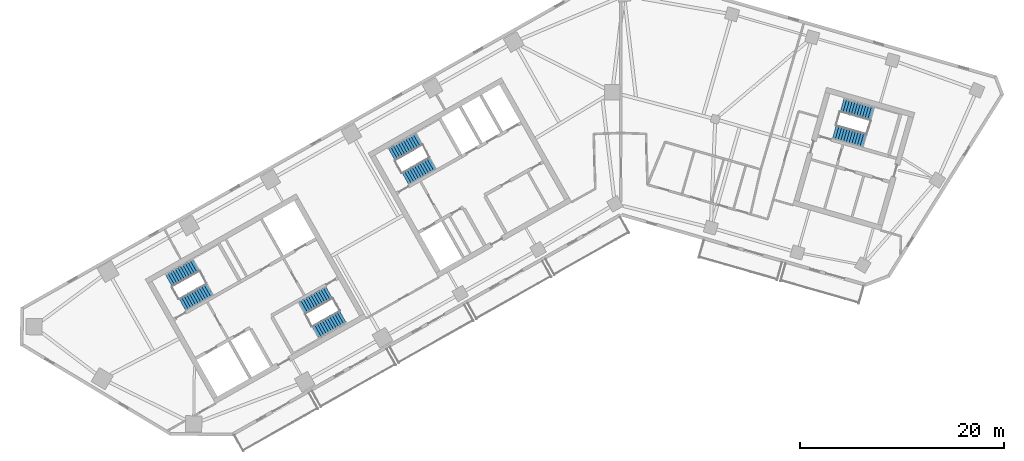
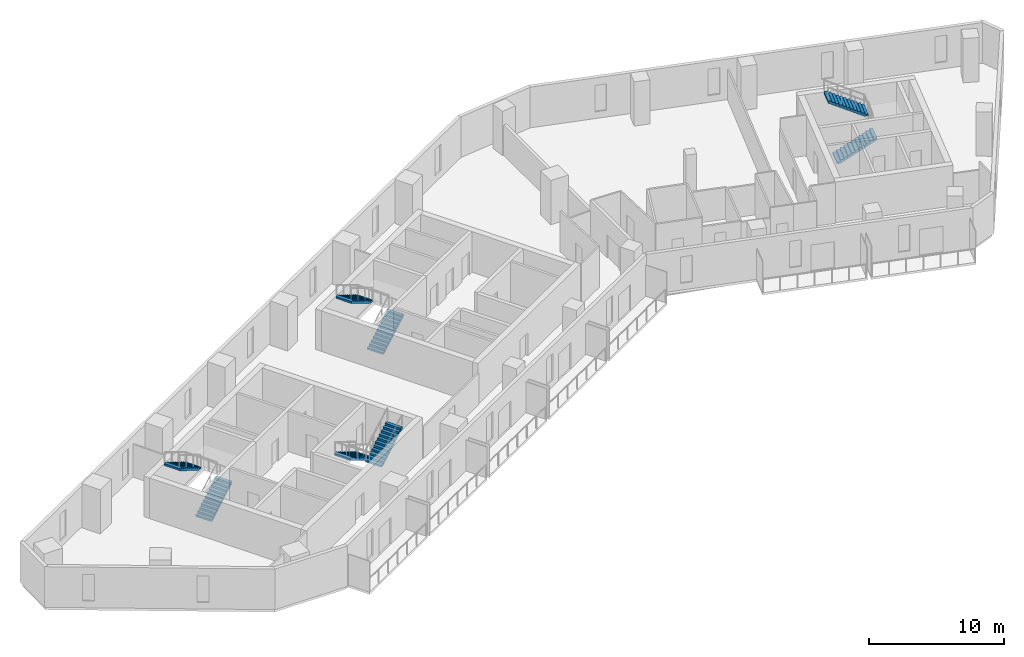
# One storey, part 7 of 9: 8 stair flights, 4 elements without a shape of their own.
"""IFC4 building model written with IfcOpenShell, lengths in metres."""

from ifc_helpers import new_model, si_unit, direction, frame, origin, place, context, subcontext, project, spatial, polyline, outline, extrude, material, type_object, element, aggregate, save


model = new_model("IFC4")

# Units and contexts
model_context = context("Model", 3, precision=1e-05, world=origin(), true_north=direction((0.0, 1.0)))
body_context = subcontext(model_context, "Body", "Model", "MODEL_VIEW")
ifc_project = project(units=[si_unit("LENGTHUNIT", "METRE"), si_unit("AREAUNIT", "SQUARE_METRE"), si_unit("VOLUMEUNIT", "CUBIC_METRE"), si_unit("PLANEANGLEUNIT", "RADIAN"), si_unit("MASSUNIT", "GRAM", prefix="KILO")], contexts=[model_context])

# Site, building, storey
site_placement = place(None, origin())
site = spatial("IfcSite", under=ifc_project, at=site_placement, CompositionType="ELEMENT")
building_placement = place(site_placement, origin())
building = spatial("IfcBuilding", under=site, at=building_placement, Name="Binnacle Exchange Tower", CompositionType="ELEMENT")
storey_placement = place(building_placement, frame((0.0, 0.0, 174.89990234375)))
storey = spatial("IfcBuildingStorey", under=building, at=storey_placement, Name="L37", CompositionType="ELEMENT", Elevation=174.89990234375)

# Stair, stair flights
ifc_material = material(Name="Concrete C35/45", Category="concrete")
stair_type = type_object("IfcStairType", Name="STAIR 24 RISERS 167", PredefinedType="HALF_TURN_STAIR", material=ifc_material)
stair_1_placement = place(storey_placement, origin())
stair_1 = element("IfcStair", 1, at=stair_1_placement, inside=storey, type_object=stair_type, Name="L37 Escape stair A1", PredefinedType="HALF_TURN_STAIR")
stair_flight_type = type_object("IfcStairFlightType", Name="STAIR FLIGHT 167X280", PredefinedType="STRAIGHT", material=ifc_material)
stair_flight_1_placement = place(storey_placement, frame((-42.9541015625, 39.17333984375, 0.0), z_axis=(0.0, 0.0, 1.0), x_axis=(0.870355584213, 0.492423757581, 0.0)))
stair_flight_1 = element("IfcStairFlight", 2, at=stair_flight_1_placement, type_object=stair_flight_type, Name="STA1 flight 1", NumberOfRisers=12, NumberOfTreads=11, PredefinedType="STRAIGHT", RiserHeight=0.166666667, TreadLength=0.28, context=body_context, shape_type="SweptSolid", body=[
    extrude(outline(polyline([(0.0, 0.0), (0.0, 0.166748046875), (0.280029296875, 0.166748046875), (0.280029296875, 0.333251953125), (0.56005859375, 0.333251953125), (0.56005859375, 0.5), (0.840087890625, 0.5), (0.840087890625, 0.666748046875), (1.1201171875, 0.666748046875), (1.1201171875, 0.833251953125), (1.39990234375, 0.833251953125), (1.39990234375, 1.0), (1.679931640625, 1.0), (1.679931640625, 1.166748046875), (1.9599609375, 1.166748046875), (1.9599609375, 1.333251953125), (2.239990234375, 1.333251953125), (2.239990234375, 1.5), (2.52001953125, 1.5), (2.52001953125, 1.666748046875), (2.800048828125, 1.666748046875), (2.800048828125, 1.833251953125), (3.080078125, 1.833251953125), (3.080078125, 2.0), (3.080078125, 1.658935546875), (0.29296875, 0.0), (0.0, 0.0)])), frame((0.0, 0.675048828125, 0.0), z_axis=(0.0, -1.0, 0.0), x_axis=(1.0, 0.0, 0.0)), (0.0, 0.0, 1.0), 1.35009765625),
])
stair_flight_2_placement = place(storey_placement, frame((-41.602783203125, 43.0400390625, 2.0), z_axis=(0.0, 0.0, 1.0), x_axis=(-0.870355584213, -0.492423757581, 0.0)))
stair_flight_2 = element("IfcStairFlight", 3, at=stair_flight_2_placement, type_object=stair_flight_type, Name="STA1 flight 2", NumberOfRisers=12, NumberOfTreads=11, PredefinedType="STRAIGHT", RiserHeight=0.166666667, TreadLength=0.28, context=body_context, shape_type="SweptSolid", body=[
    extrude(outline(polyline([(0.0, 0.0), (0.0, 0.166748046875), (0.280029296875, 0.166748046875), (0.280029296875, 0.333251953125), (0.56005859375, 0.333251953125), (0.56005859375, 0.5), (0.840087890625, 0.5), (0.840087890625, 0.666748046875), (1.1201171875, 0.666748046875), (1.1201171875, 0.833251953125), (1.39990234375, 0.833251953125), (1.39990234375, 1.0), (1.679931640625, 1.0), (1.679931640625, 1.166748046875), (1.9599609375, 1.166748046875), (1.9599609375, 1.333251953125), (2.239990234375, 1.333251953125), (2.239990234375, 1.5), (2.52001953125, 1.5), (2.52001953125, 1.666748046875), (2.800048828125, 1.666748046875), (2.800048828125, 1.833251953125), (3.080078125, 1.833251953125), (3.080078125, 2.0), (3.080078125, 1.658935546875), (0.29296875, 0.0), (0.0, 0.0)])), frame((0.0, 0.675048828125, 0.0), z_axis=(0.0, -1.0, 0.0), x_axis=(1.0, 0.0, 0.0)), (0.0, 0.0, 1.0), 1.35009765625),
])
aggregate(stair_1, [stair_flight_1, stair_flight_2])

stair_2_placement = place(storey_placement, origin())
stair_2 = element("IfcStair", 4, at=stair_2_placement, inside=storey, type_object=stair_type, Name="L37 Escape stair A2", PredefinedType="HALF_TURN_STAIR")
stair_flight_3_placement = place(storey_placement, frame((-28.5732421875, 40.3583984375, 0.0), z_axis=(0.0, 0.0, 1.0), x_axis=(-0.870355584213, -0.492423757581, 0.0)))
stair_flight_3 = element("IfcStairFlight", 5, at=stair_flight_3_placement, type_object=stair_flight_type, Name="STA2 flight 1", NumberOfRisers=12, NumberOfTreads=11, PredefinedType="STRAIGHT", RiserHeight=0.166666667, TreadLength=0.28, context=body_context, shape_type="SweptSolid", body=[
    extrude(outline(polyline([(0.0, 0.0), (0.0, 0.166748046875), (0.280029296875, 0.166748046875), (0.280029296875, 0.333251953125), (0.56005859375, 0.333251953125), (0.56005859375, 0.5), (0.840087890625, 0.5), (0.840087890625, 0.666748046875), (1.1201171875, 0.666748046875), (1.1201171875, 0.833251953125), (1.39990234375, 0.833251953125), (1.39990234375, 1.0), (1.679931640625, 1.0), (1.679931640625, 1.166748046875), (1.9599609375, 1.166748046875), (1.9599609375, 1.333251953125), (2.239990234375, 1.333251953125), (2.239990234375, 1.5), (2.52001953125, 1.5), (2.52001953125, 1.666748046875), (2.800048828125, 1.666748046875), (2.800048828125, 1.833251953125), (3.080078125, 1.833251953125), (3.080078125, 2.0), (3.080078125, 1.658935546875), (0.29296875, 0.0), (0.0, 0.0)])), frame((0.0, 0.675048828125, 0.0), z_axis=(0.0, -1.0, 0.0), x_axis=(1.0, 0.0, 0.0)), (0.0, 0.0, 1.0), 1.35009765625),
])
stair_flight_4_placement = place(storey_placement, frame((-29.92431640625, 36.49169921875, 2.0), z_axis=(0.0, 0.0, 1.0), x_axis=(0.870355584213, 0.492423757581, 0.0)))
stair_flight_4 = element("IfcStairFlight", 6, at=stair_flight_4_placement, type_object=stair_flight_type, Name="STA2 flight 2", NumberOfRisers=12, NumberOfTreads=11, PredefinedType="STRAIGHT", RiserHeight=0.166666667, TreadLength=0.28, context=body_context, shape_type="SweptSolid", body=[
    extrude(outline(polyline([(0.0, 0.0), (0.0, 0.166748046875), (0.280029296875, 0.166748046875), (0.280029296875, 0.333251953125), (0.56005859375, 0.333251953125), (0.56005859375, 0.5), (0.840087890625, 0.5), (0.840087890625, 0.666748046875), (1.1201171875, 0.666748046875), (1.1201171875, 0.833251953125), (1.39990234375, 0.833251953125), (1.39990234375, 1.0), (1.679931640625, 1.0), (1.679931640625, 1.166748046875), (1.9599609375, 1.166748046875), (1.9599609375, 1.333251953125), (2.239990234375, 1.333251953125), (2.239990234375, 1.5), (2.52001953125, 1.5), (2.52001953125, 1.666748046875), (2.800048828125, 1.666748046875), (2.800048828125, 1.833251953125), (3.080078125, 1.833251953125), (3.080078125, 2.0), (3.080078125, 1.658935546875), (0.29296875, 0.0), (0.0, 0.0)])), frame((0.0, 0.675048828125, 0.0), z_axis=(0.0, -1.0, 0.0), x_axis=(1.0, 0.0, 0.0)), (0.0, 0.0, 1.0), 1.35009765625),
])
aggregate(stair_2, [stair_flight_3, stair_flight_4])

stair_3_placement = place(storey_placement, origin())
stair_3 = element("IfcStair", 7, at=stair_3_placement, inside=storey, type_object=stair_type, Name="L37 Escape stair C1", PredefinedType="HALF_TURN_STAIR")
stair_flight_5_placement = place(storey_placement, frame((-21.115966796875, 51.528564453125, 0.0), z_axis=(0.0, 0.0, 1.0), x_axis=(0.870355584213, 0.492423757581, 0.0)))
stair_flight_5 = element("IfcStairFlight", 8, at=stair_flight_5_placement, type_object=stair_flight_type, Name="STC1 flight 1", NumberOfRisers=12, NumberOfTreads=11, PredefinedType="STRAIGHT", RiserHeight=0.166666667, TreadLength=0.28, context=body_context, shape_type="SweptSolid", body=[
    extrude(outline(polyline([(0.0, 0.0), (0.0, 0.166748046875), (0.280029296875, 0.166748046875), (0.280029296875, 0.333251953125), (0.56005859375, 0.333251953125), (0.56005859375, 0.5), (0.840087890625, 0.5), (0.840087890625, 0.666748046875), (1.1201171875, 0.666748046875), (1.1201171875, 0.833251953125), (1.39990234375, 0.833251953125), (1.39990234375, 1.0), (1.679931640625, 1.0), (1.679931640625, 1.166748046875), (1.9599609375, 1.166748046875), (1.9599609375, 1.333251953125), (2.239990234375, 1.333251953125), (2.239990234375, 1.5), (2.52001953125, 1.5), (2.52001953125, 1.666748046875), (2.800048828125, 1.666748046875), (2.800048828125, 1.833251953125), (3.080078125, 1.833251953125), (3.080078125, 2.0), (3.080078125, 1.658935546875), (0.29296875, 0.0), (0.0, 0.0)])), frame((0.0, 0.675048828125, 0.0), z_axis=(0.0, -1.0, 0.0), x_axis=(1.0, 0.0, 0.0)), (0.0, 0.0, 1.0), 1.35009765625),
])
stair_flight_6_placement = place(storey_placement, frame((-19.764892578125, 55.395263671875, 2.0), z_axis=(0.0, 0.0, 1.0), x_axis=(-0.870355584213, -0.492423757581, 0.0)))
stair_flight_6 = element("IfcStairFlight", 9, at=stair_flight_6_placement, type_object=stair_flight_type, Name="STC1 flight 2", NumberOfRisers=12, NumberOfTreads=11, PredefinedType="STRAIGHT", RiserHeight=0.166666667, TreadLength=0.28, context=body_context, shape_type="SweptSolid", body=[
    extrude(outline(polyline([(0.0, 0.0), (0.0, 0.166748046875), (0.280029296875, 0.166748046875), (0.280029296875, 0.333251953125), (0.56005859375, 0.333251953125), (0.56005859375, 0.5), (0.840087890625, 0.5), (0.840087890625, 0.666748046875), (1.1201171875, 0.666748046875), (1.1201171875, 0.833251953125), (1.39990234375, 0.833251953125), (1.39990234375, 1.0), (1.679931640625, 1.0), (1.679931640625, 1.166748046875), (1.9599609375, 1.166748046875), (1.9599609375, 1.333251953125), (2.239990234375, 1.333251953125), (2.239990234375, 1.5), (2.52001953125, 1.5), (2.52001953125, 1.666748046875), (2.800048828125, 1.666748046875), (2.800048828125, 1.833251953125), (3.080078125, 1.833251953125), (3.080078125, 2.0), (3.080078125, 1.658935546875), (0.29296875, 0.0), (0.0, 0.0)])), frame((0.0, 0.675048828125, 0.0), z_axis=(0.0, -1.0, 0.0), x_axis=(1.0, 0.0, 0.0)), (0.0, 0.0, 1.0), 1.35009765625),
])
aggregate(stair_3, [stair_flight_5, stair_flight_6])

stair_4_placement = place(storey_placement, origin())
stair_4 = element("IfcStair", 10, at=stair_4_placement, inside=storey, type_object=stair_type, Name="L37 Escape stair D1", PredefinedType="HALF_TURN_STAIR")
stair_flight_7_placement = place(storey_placement, frame((20.914306640625, 56.109619140625, 0.0), z_axis=(0.0, 0.0, 1.0), x_axis=(0.961261811397, -0.275636953165, 0.0)))
stair_flight_7 = element("IfcStairFlight", 11, at=stair_flight_7_placement, type_object=stair_flight_type, Name="STD1 flight 1", NumberOfRisers=12, NumberOfTreads=11, PredefinedType="STRAIGHT", RiserHeight=0.166666667, TreadLength=0.28, context=body_context, shape_type="SweptSolid", body=[
    extrude(outline(polyline([(0.0, 0.0), (0.0, 0.166748046875), (0.280029296875, 0.166748046875), (0.280029296875, 0.333251953125), (0.56005859375, 0.333251953125), (0.56005859375, 0.5), (0.840087890625, 0.5), (0.840087890625, 0.666748046875), (1.1201171875, 0.666748046875), (1.1201171875, 0.833251953125), (1.39990234375, 0.833251953125), (1.39990234375, 1.0), (1.679931640625, 1.0), (1.679931640625, 1.166748046875), (1.9599609375, 1.166748046875), (1.9599609375, 1.333251953125), (2.239990234375, 1.333251953125), (2.239990234375, 1.5), (2.52001953125, 1.5), (2.52001953125, 1.666748046875), (2.800048828125, 1.666748046875), (2.800048828125, 1.833251953125), (3.080078125, 1.833251953125), (3.080078125, 2.0), (3.080078125, 1.658935546875), (0.29296875, 0.0), (0.0, 0.0)])), frame((0.0, 0.675048828125, 0.0), z_axis=(0.0, -1.0, 0.0), x_axis=(1.0, 0.0, 0.0)), (0.0, 0.0, 1.0), 1.35009765625),
])
stair_flight_8_placement = place(storey_placement, frame((24.619384765625, 57.85595703125, 2.0), z_axis=(0.0, 0.0, 1.0), x_axis=(-0.961261811397, 0.275636953165, 0.0)))
stair_flight_8 = element("IfcStairFlight", 12, at=stair_flight_8_placement, type_object=stair_flight_type, Name="STD1 flight 2", NumberOfRisers=12, NumberOfTreads=11, PredefinedType="STRAIGHT", RiserHeight=0.166666667, TreadLength=0.28, context=body_context, shape_type="SweptSolid", body=[
    extrude(outline(polyline([(0.0, 0.0), (0.0, 0.166748046875), (0.280029296875, 0.166748046875), (0.280029296875, 0.333251953125), (0.56005859375, 0.333251953125), (0.56005859375, 0.5), (0.840087890625, 0.5), (0.840087890625, 0.666748046875), (1.1201171875, 0.666748046875), (1.1201171875, 0.833251953125), (1.39990234375, 0.833251953125), (1.39990234375, 1.0), (1.679931640625, 1.0), (1.679931640625, 1.166748046875), (1.9599609375, 1.166748046875), (1.9599609375, 1.333251953125), (2.239990234375, 1.333251953125), (2.239990234375, 1.5), (2.52001953125, 1.5), (2.52001953125, 1.666748046875), (2.800048828125, 1.666748046875), (2.800048828125, 1.833251953125), (3.080078125, 1.833251953125), (3.080078125, 2.0), (3.080078125, 1.658935546875), (0.29296875, 0.0), (0.0, 0.0)])), frame((0.0, 0.675048828125, 0.0), z_axis=(0.0, -1.0, 0.0), x_axis=(1.0, 0.0, 0.0)), (0.0, 0.0, 1.0), 1.35009765625),
])
aggregate(stair_4, [stair_flight_7, stair_flight_8])

save(model, "model.ifc")
